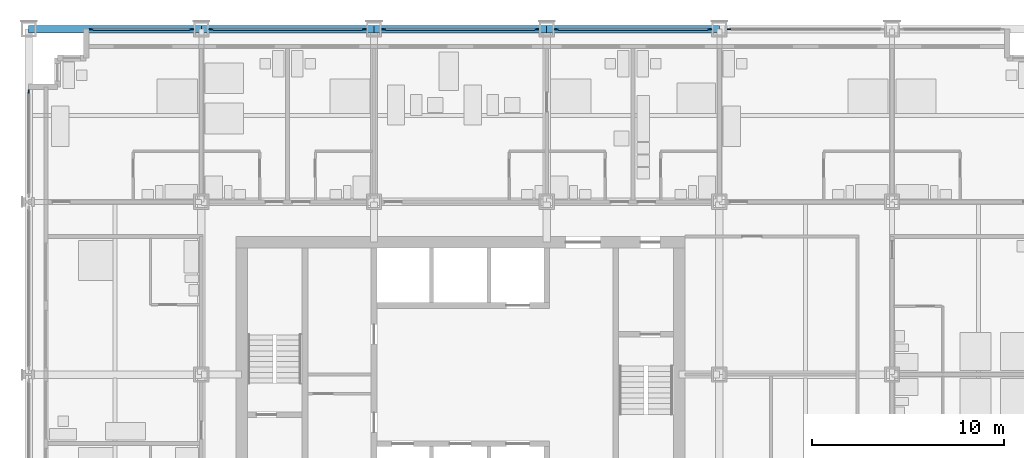
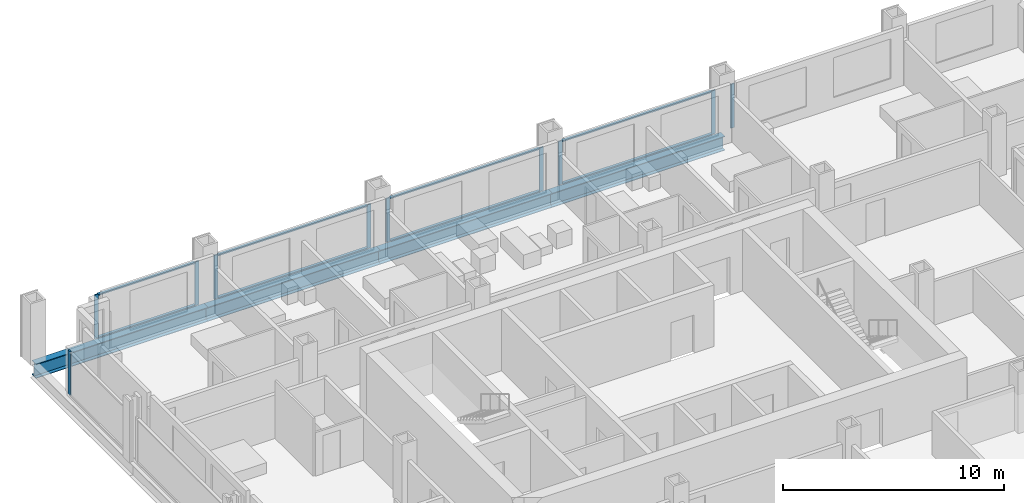
# One storey, part 7 of 18: 18 members, 4 beams, 6 elements without a shape of their own.
"""IFC4 building model written with IfcOpenShell, lengths in metres."""

from ifc_helpers import new_model, si_unit, direction, frame, origin, origin_2d, place, context, subcontext, project, spatial, rectangle, i_section, extrude, material, material_profile, profile_set, type_object, element, aggregate, save


model = new_model("IFC4")

# Units and contexts
model_context = context("Model", 3, precision=1e-05, world=origin(), true_north=direction((0.0, 1.0)))
body_context = subcontext(model_context, "Body", "Model", "MODEL_VIEW")
ifc_project = project(units=[si_unit("LENGTHUNIT", "METRE"), si_unit("AREAUNIT", "SQUARE_METRE"), si_unit("VOLUMEUNIT", "CUBIC_METRE"), si_unit("PLANEANGLEUNIT", "RADIAN"), si_unit("MASSUNIT", "GRAM", prefix="KILO")], contexts=[model_context])

# Site, building, storey
site_placement = place(None, origin())
site = spatial("IfcSite", under=ifc_project, at=site_placement, CompositionType="ELEMENT")
building_placement = place(site_placement, origin())
building = spatial("IfcBuilding", under=site, at=building_placement, Name="Loomwork Tower", CompositionType="ELEMENT")
storey_placement = place(building_placement, frame((0.0, 0.0, 38.199951171875)))
storey = spatial("IfcBuildingStorey", under=building, at=storey_placement, Name="L08", CompositionType="ELEMENT", Elevation=38.199951171875)

# Curtain wall, members
ifc_material_1 = material(Name="Aluminium curtain wall frame", Category="aluminium")
curtain_wall_type = type_object("IfcCurtainWallType", Name="Outer skin glazing hotel", PredefinedType="NOTDEFINED", material=ifc_material_1)
curtain_wall_1_placement = place(storey_placement, origin())
curtain_wall_1 = element("IfcCurtainWall", 1, at=curtain_wall_1_placement, inside=storey, type_object=curtain_wall_type, Name="Outer skin glazing hotel cw/N-0", PredefinedType="NOTDEFINED")
ifc_material_2 = material(Name="Aluminium curtain wall frame", Category="aluminium")
ifc_material_profile_1 = material_profile(ifc_material_2, rectangle(XDim=0.06494140625, YDim=0.199951171875, at=origin_2d()), Name="AL 65x200")
ifc_profile_set_1 = profile_set([ifc_material_profile_1], Name="Aluminium curtain wall frame")
member_type_1 = type_object("IfcMemberType", Name="Outer skin glazing hotel mullion", PredefinedType="MULLION", material=ifc_profile_set_1)
member_1_placement = place(storey_placement, frame((8.5, 36.0, 0.0), z_axis=(0.0, 0.0, 1.0), x_axis=(0.0, -1.0, 0.0)))
member_1 = element("IfcMember", 2, at=member_1_placement, type_object=member_type_1, Name="CW1 mullion 1", PredefinedType="MULLION", context=body_context, shape_type="SweptSolid", body=[
    extrude(rectangle(XDim=0.06494140625, YDim=0.199951171875, at=origin_2d()), origin(), (0.0, 0.0, 1.0), 2.420166015625),
])
member_2_placement = place(storey_placement, frame((3.25, 36.0, 0.0), z_axis=(0.0, 0.0, 1.0), x_axis=(0.0, -1.0, 0.0)))
member_2 = element("IfcMember", 3, at=member_2_placement, type_object=member_type_1, Name="CW1 mullion 2", PredefinedType="MULLION", context=body_context, shape_type="SweptSolid", body=[
    extrude(rectangle(XDim=0.06494140625, YDim=0.199951171875, at=origin_2d()), origin(), (0.0, 0.0, 1.0), 2.420166015625),
])

curtain_wall_2_placement = place(storey_placement, origin())
curtain_wall_2 = element("IfcCurtainWall", 4, at=curtain_wall_2_placement, inside=storey, type_object=curtain_wall_type, Name="Outer skin glazing hotel cw/N-9", PredefinedType="NOTDEFINED")
member_3_placement = place(storey_placement, frame((17.5, 36.0, 0.0), z_axis=(0.0, 0.0, 1.0), x_axis=(0.0, -1.0, 0.0)))
member_3 = element("IfcMember", 5, at=member_3_placement, type_object=member_type_1, Name="CW1 mullion 1", PredefinedType="MULLION", context=body_context, shape_type="SweptSolid", body=[
    extrude(rectangle(XDim=0.06494140625, YDim=0.199951171875, at=origin_2d()), origin(), (0.0, 0.0, 1.0), 2.420166015625),
])
member_4_placement = place(storey_placement, frame((9.5, 36.0, 0.0), z_axis=(0.0, 0.0, 1.0), x_axis=(0.0, -1.0, 0.0)))
member_4 = element("IfcMember", 6, at=member_4_placement, type_object=member_type_1, Name="CW1 mullion 2", PredefinedType="MULLION", context=body_context, shape_type="SweptSolid", body=[
    extrude(rectangle(XDim=0.06494140625, YDim=0.199951171875, at=origin_2d()), origin(), (0.0, 0.0, 1.0), 2.420166015625),
])

curtain_wall_3_placement = place(storey_placement, origin())
curtain_wall_3 = element("IfcCurtainWall", 7, at=curtain_wall_3_placement, inside=storey, type_object=curtain_wall_type, Name="Outer skin glazing hotel cw/N-18", PredefinedType="NOTDEFINED")
member_5_placement = place(storey_placement, frame((26.5, 36.0, 0.0), z_axis=(0.0, 0.0, 1.0), x_axis=(0.0, -1.0, 0.0)))
member_5 = element("IfcMember", 8, at=member_5_placement, type_object=member_type_1, Name="CW1 mullion 1", PredefinedType="MULLION", context=body_context, shape_type="SweptSolid", body=[
    extrude(rectangle(XDim=0.06494140625, YDim=0.199951171875, at=origin_2d()), origin(), (0.0, 0.0, 1.0), 2.420166015625),
])
member_6_placement = place(storey_placement, frame((18.5, 36.0, 0.0), z_axis=(0.0, 0.0, 1.0), x_axis=(0.0, -1.0, 0.0)))
member_6 = element("IfcMember", 9, at=member_6_placement, type_object=member_type_1, Name="CW1 mullion 2", PredefinedType="MULLION", context=body_context, shape_type="SweptSolid", body=[
    extrude(rectangle(XDim=0.06494140625, YDim=0.199951171875, at=origin_2d()), origin(), (0.0, 0.0, 1.0), 2.420166015625),
])

curtain_wall_4_placement = place(storey_placement, origin())
curtain_wall_4 = element("IfcCurtainWall", 10, at=curtain_wall_4_placement, inside=storey, type_object=curtain_wall_type, Name="Outer skin glazing hotel cw/N-27", PredefinedType="NOTDEFINED")
member_7_placement = place(storey_placement, frame((35.5, 36.0, 0.0), z_axis=(0.0, 0.0, 1.0), x_axis=(0.0, -1.0, 0.0)))
member_7 = element("IfcMember", 11, at=member_7_placement, type_object=member_type_1, Name="CW1 mullion 1", PredefinedType="MULLION", context=body_context, shape_type="SweptSolid", body=[
    extrude(rectangle(XDim=0.06494140625, YDim=0.199951171875, at=origin_2d()), origin(), (0.0, 0.0, 1.0), 2.420166015625),
])
member_8_placement = place(storey_placement, frame((27.5, 36.0, 0.0), z_axis=(0.0, 0.0, 1.0), x_axis=(0.0, -1.0, 0.0)))
member_8 = element("IfcMember", 12, at=member_8_placement, type_object=member_type_1, Name="CW1 mullion 2", PredefinedType="MULLION", context=body_context, shape_type="SweptSolid", body=[
    extrude(rectangle(XDim=0.06494140625, YDim=0.199951171875, at=origin_2d()), origin(), (0.0, 0.0, 1.0), 2.420166015625),
])

# Curtain wall, member
curtain_wall_5_placement = place(storey_placement, origin())
curtain_wall_5 = element("IfcCurtainWall", 13, at=curtain_wall_5_placement, inside=storey, type_object=curtain_wall_type, Name="Outer skin glazing hotel cw/N-36", PredefinedType="NOTDEFINED")
member_9_placement = place(storey_placement, frame((36.5, 36.0, 0.0), z_axis=(0.0, 0.0, 1.0), x_axis=(0.0, -1.0, 0.0)))
member_9 = element("IfcMember", 14, at=member_9_placement, type_object=member_type_1, Name="CW1 mullion 2", PredefinedType="MULLION", context=body_context, shape_type="SweptSolid", body=[
    extrude(rectangle(XDim=0.06494140625, YDim=0.199951171875, at=origin_2d()), origin(), (0.0, 0.0, 1.0), 2.420166015625),
])
aggregate(curtain_wall_5, [member_9])

curtain_wall_6_placement = place(storey_placement, origin())
curtain_wall_6 = element("IfcCurtainWall", 15, at=curtain_wall_6_placement, inside=storey, type_object=curtain_wall_type, Name="Outer skin glazing hotel cw/W-27", PredefinedType="NOTDEFINED")
member_10_placement = place(storey_placement, frame((0.0, 32.75, 0.0), z_axis=(0.0, 0.0, 1.0), x_axis=(1.0, 0.0, 0.0)))
member_10 = element("IfcMember", 16, at=member_10_placement, type_object=member_type_1, Name="CW1 mullion 1", PredefinedType="MULLION", context=body_context, shape_type="SweptSolid", body=[
    extrude(rectangle(XDim=0.06494140625, YDim=0.199951171875, at=origin_2d()), origin(), (0.0, 0.0, 1.0), 2.420166015625),
])
aggregate(curtain_wall_6, [member_10])

# Member
ifc_material_3 = material(Name="Aluminium curtain wall frame", Category="aluminium")
ifc_material_profile_2 = material_profile(ifc_material_3, rectangle(XDim=0.14990234375, YDim=0.06494140625, at=origin_2d()), Name="AL 65x150")
ifc_profile_set_2 = profile_set([ifc_material_profile_2], Name="Aluminium curtain wall frame")
member_type_2 = type_object("IfcMemberType", Name="Outer skin glazing hotel transom", PredefinedType="USERDEFINED", material=ifc_profile_set_2)
member_11_placement = place(storey_placement, frame((8.39990234375, 36.0, 0.032470703125), z_axis=(-1.0, 0.0, 0.0), x_axis=(0.0, -1.0, 0.0)))
member_11 = element("IfcMember", 17, at=member_11_placement, type_object=member_type_2, Name="CW1 transom 1.1", ObjectType="TRANSOM", PredefinedType="USERDEFINED", context=body_context, shape_type="SweptSolid", body=[
    extrude(rectangle(XDim=0.14990234375, YDim=0.06494140625, at=origin_2d()), origin(), (0.0, 0.0, 1.0), 5.0498046875),
])

member_12_placement = place(storey_placement, frame((8.39990234375, 36.0, 2.3876953125), z_axis=(-1.0, 0.0, 0.0), x_axis=(0.0, -1.0, 0.0)))
member_12 = element("IfcMember", 18, at=member_12_placement, type_object=member_type_2, Name="CW1 transom 1.2", ObjectType="TRANSOM", PredefinedType="USERDEFINED", context=body_context, shape_type="SweptSolid", body=[
    extrude(rectangle(XDim=0.14990234375, YDim=0.06494140625, at=origin_2d()), origin(), (0.0, 0.0, 1.0), 5.0498046875),
])

aggregate(curtain_wall_1, [member_1, member_2, member_11, member_12])

member_13_placement = place(storey_placement, frame((17.39990234375, 36.0, 0.032470703125), z_axis=(-1.0, 0.0, 0.0), x_axis=(0.0, -1.0, 0.0)))
member_13 = element("IfcMember", 19, at=member_13_placement, type_object=member_type_2, Name="CW1 transom 1.1", ObjectType="TRANSOM", PredefinedType="USERDEFINED", context=body_context, shape_type="SweptSolid", body=[
    extrude(rectangle(XDim=0.14990234375, YDim=0.06494140625, at=origin_2d()), origin(), (0.0, 0.0, 1.0), 7.7998046875),
])

member_14_placement = place(storey_placement, frame((17.39990234375, 36.0, 2.3876953125), z_axis=(-1.0, 0.0, 0.0), x_axis=(0.0, -1.0, 0.0)))
member_14 = element("IfcMember", 20, at=member_14_placement, type_object=member_type_2, Name="CW1 transom 1.2", ObjectType="TRANSOM", PredefinedType="USERDEFINED", context=body_context, shape_type="SweptSolid", body=[
    extrude(rectangle(XDim=0.14990234375, YDim=0.06494140625, at=origin_2d()), origin(), (0.0, 0.0, 1.0), 7.7998046875),
])

aggregate(curtain_wall_2, [member_3, member_4, member_13, member_14])

member_15_placement = place(storey_placement, frame((26.39990234375, 36.0, 0.032470703125), z_axis=(-1.0, 0.0, 0.0), x_axis=(0.0, -1.0, 0.0)))
member_15 = element("IfcMember", 21, at=member_15_placement, type_object=member_type_2, Name="CW1 transom 1.1", ObjectType="TRANSOM", PredefinedType="USERDEFINED", context=body_context, shape_type="SweptSolid", body=[
    extrude(rectangle(XDim=0.14990234375, YDim=0.06494140625, at=origin_2d()), origin(), (0.0, 0.0, 1.0), 7.7998046875),
])

member_16_placement = place(storey_placement, frame((26.39990234375, 36.0, 2.3876953125), z_axis=(-1.0, 0.0, 0.0), x_axis=(0.0, -1.0, 0.0)))
member_16 = element("IfcMember", 22, at=member_16_placement, type_object=member_type_2, Name="CW1 transom 1.2", ObjectType="TRANSOM", PredefinedType="USERDEFINED", context=body_context, shape_type="SweptSolid", body=[
    extrude(rectangle(XDim=0.14990234375, YDim=0.06494140625, at=origin_2d()), origin(), (0.0, 0.0, 1.0), 7.7998046875),
])

aggregate(curtain_wall_3, [member_5, member_6, member_15, member_16])

member_17_placement = place(storey_placement, frame((35.39990234375, 36.0, 0.032470703125), z_axis=(-1.0, 0.0, 0.0), x_axis=(0.0, -1.0, 0.0)))
member_17 = element("IfcMember", 23, at=member_17_placement, type_object=member_type_2, Name="CW1 transom 1.1", ObjectType="TRANSOM", PredefinedType="USERDEFINED", context=body_context, shape_type="SweptSolid", body=[
    extrude(rectangle(XDim=0.14990234375, YDim=0.06494140625, at=origin_2d()), origin(), (0.0, 0.0, 1.0), 7.7998046875),
])

member_18_placement = place(storey_placement, frame((35.39990234375, 36.0, 2.3876953125), z_axis=(-1.0, 0.0, 0.0), x_axis=(0.0, -1.0, 0.0)))
member_18 = element("IfcMember", 24, at=member_18_placement, type_object=member_type_2, Name="CW1 transom 1.2", ObjectType="TRANSOM", PredefinedType="USERDEFINED", context=body_context, shape_type="SweptSolid", body=[
    extrude(rectangle(XDim=0.14990234375, YDim=0.06494140625, at=origin_2d()), origin(), (0.0, 0.0, 1.0), 7.7998046875),
])

aggregate(curtain_wall_4, [member_7, member_8, member_17, member_18])

# Beams
ifc_material_4 = material(Name="Steel ASTM A992", Category="steel")
ifc_material_profile_3 = material_profile(ifc_material_4, i_section(OverallWidth=0.381103515625, OverallDepth=0.77978515625, WebThickness=0.01806640625, FlangeThickness=0.0302734375, at=origin_2d()), Name="W30x191")
ifc_profile_set_3 = profile_set([ifc_material_profile_3], Name="Steel ASTM A992")
beam_type = type_object("IfcBeamType", Name="SPANDREL GIRDER W30x191", PredefinedType="SPANDREL", material=ifc_profile_set_3)
for number, where, z_axis, x_axis, name in (
    (25, (0.0, 36.0, -0.58984375), (1.0, 0.0, 0.0), (0.0, 1.0, 0.0), "Spandrel Girder H/2-H/3 L08"),
    (26, (9.0, 36.0, -0.58984375), (1.0, 0.0, 0.0), (0.0, 1.0, 0.0), "Spandrel Girder H/3-H/4 L08"),
    (27, (18.0, 36.0, -0.58984375), (1.0, 0.0, 0.0), (0.0, 1.0, 0.0), "Spandrel Girder H/4-H/5 L08"),
    (28, (27.0, 36.0, -0.58984375), (1.0, 0.0, 0.0), (0.0, 1.0, 0.0), "Spandrel Girder H/5-H/6 L08"),
):
    element("IfcBeam", number, at=place(storey_placement, frame(where, z_axis=z_axis, x_axis=x_axis)), inside=storey, type_object=beam_type, Name=name, PredefinedType="SPANDREL", context=body_context, shape_type="SweptSolid", body=[
        extrude(i_section(OverallWidth=0.381103515625, OverallDepth=0.77978515625, WebThickness=0.01806640625, FlangeThickness=0.0302734375, at=origin_2d()), origin(), (0.0, 0.0, 1.0), 9.0),
    ])

save(model, "model.ifc")
